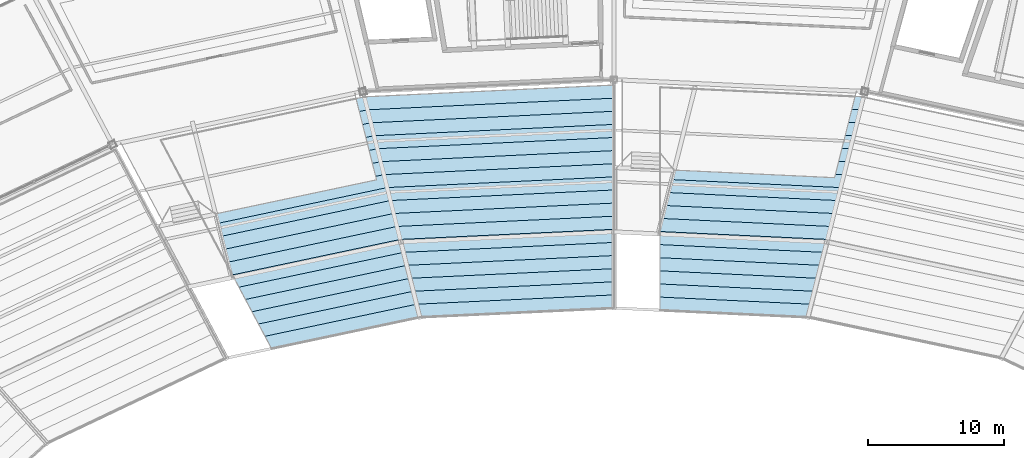
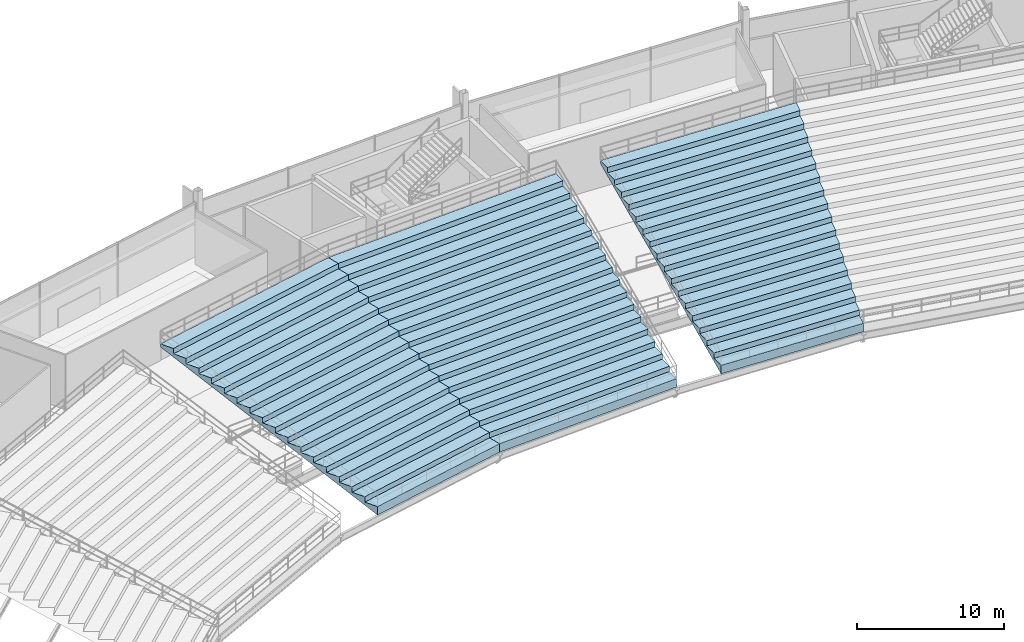
# One storey, part 138 of 186: 3 slabs.
"""IFC4 building model written with IfcOpenShell, lengths in metres."""

from ifc_helpers import new_model, si_unit, direction, frame, origin, place, context, subcontext, project, spatial, polygons, material, layer, layer_set, type_object, element, save


model = new_model("IFC4")

# Units and contexts
model_context = context("Model", 3, precision=1e-05, world=origin(), true_north=direction((0.0, 1.0)))
body_context = subcontext(model_context, "Body", "Model", "MODEL_VIEW")
ifc_project = project(units=[si_unit("LENGTHUNIT", "METRE"), si_unit("AREAUNIT", "SQUARE_METRE"), si_unit("VOLUMEUNIT", "CUBIC_METRE"), si_unit("PLANEANGLEUNIT", "RADIAN"), si_unit("MASSUNIT", "GRAM", prefix="KILO")], contexts=[model_context])

# Site, building, storey
site_placement = place(None, origin())
site = spatial("IfcSite", under=ifc_project, at=site_placement, CompositionType="ELEMENT")
building_placement = place(site_placement, origin())
building = spatial("IfcBuilding", under=site, at=building_placement, Name="Kazemori Nagisa Stadium", CompositionType="ELEMENT")
storey_placement = place(building_placement, frame((0.0, 0.0, 20.39990234375)))
storey = spatial("IfcBuildingStorey", under=building, at=storey_placement, Name="L04", CompositionType="ELEMENT", Elevation=20.39990234375)

# Slabs
ifc_material = material(Name="Concrete C36/45 (Fc36)", Category="concrete")
ifc_layer = layer(ifc_material, 7.739990234375, Name="Concrete C36/45 (Fc36)", Category="concrete")
ifc_layer_set = layer_set([ifc_layer], Name="Concrete C36/45 (Fc36)")
slab_type = type_object("IfcSlabType", Name="SeatingTier_ST-UP-17N", PredefinedType="USERDEFINED", material=ifc_layer_set)
slab_1_placement = place(storey_placement, frame((0.0, 0.0, -20.39990234375)))
element("IfcSlab", 1, at=slab_1_placement, inside=storey, type_object=slab_type, Name="Stand upper tier bay 07", ObjectType="SEATING TIER", PredefinedType="USERDEFINED", context=body_context, shape_type="Tessellation", body=[
    polygons([(126.396240234375, 159.029296875, 18.820068359375), (126.396240234375, 159.029296875, 19.52001953125), (126.396240234375, 159.992431640625, 19.52001953125), (126.396240234375, 159.992431640625, 19.9599609375), (126.396240234375, 160.955810546875, 19.9599609375), (126.396240234375, 160.955810546875, 20.39990234375), (126.396240234375, 161.9189453125, 20.39990234375), (126.396240234375, 161.9189453125, 20.83984375), (126.396240234375, 162.882080078125, 20.83984375), (126.396240234375, 162.882080078125, 21.27978515625), (126.396240234375, 163.84521484375, 21.27978515625), (126.396240234375, 163.84521484375, 21.7197265625), (126.396240234375, 164.80859375, 21.7197265625), (126.396240234375, 164.80859375, 22.15966796875), (126.396240234375, 165.771728515625, 22.15966796875), (126.396240234375, 165.771728515625, 22.599609375), (126.396240234375, 166.73486328125, 22.599609375), (126.396240234375, 166.73486328125, 23.03955078125), (126.396240234375, 167.6982421875, 23.03955078125), (126.396240234375, 167.6982421875, 23.4794921875), (126.396240234375, 168.661376953125, 23.4794921875), (126.396240234375, 168.661376953125, 23.91943359375), (126.396240234375, 169.62451171875, 23.91943359375), (126.396240234375, 169.62451171875, 24.359375), (126.396240234375, 170.587890625, 24.359375), (126.396240234375, 170.587890625, 24.79931640625), (126.396240234375, 171.551025390625, 24.79931640625), (126.396240234375, 171.551025390625, 25.2392578125), (126.396240234375, 172.51416015625, 25.2392578125), (126.396240234375, 172.51416015625, 25.67919921875), (126.396240234375, 173.477294921875, 25.67919921875), (126.396240234375, 173.477294921875, 26.119140625), (126.396240234375, 174.440673828125, 26.119140625), (126.396240234375, 174.440673828125, 26.55908203125), (126.396240234375, 175.40380859375, 26.55908203125), (126.396240234375, 175.40380859375, 26.299072265625), (126.396240234375, 174.440673828125, 25.859130859375), (126.396240234375, 173.477294921875, 25.419189453125), (126.396240234375, 172.51416015625, 24.979248046875), (126.396240234375, 171.551025390625, 24.539306640625), (126.396240234375, 170.587890625, 24.099365234375), (126.396240234375, 169.62451171875, 23.659423828125), (126.396240234375, 168.661376953125, 23.219482421875), (126.396240234375, 167.6982421875, 22.779541015625), (126.396240234375, 166.73486328125, 22.339599609375), (126.396240234375, 165.771728515625, 21.899658203125), (126.396240234375, 164.80859375, 21.459716796875), (126.396240234375, 163.84521484375, 21.019775390625), (126.396240234375, 162.882080078125, 20.579833984375), (126.396240234375, 161.9189453125, 20.139892578125), (126.396240234375, 160.955810546875, 19.699951171875), (126.396240234375, 159.992431640625, 19.260009765625), (137.24951171875, 158.516357421875, 18.820068359375), (137.24951171875, 158.516357421875, 19.52001953125), (137.489501953125, 159.46826171875, 19.52001953125), (137.489501953125, 159.46826171875, 19.9599609375), (137.7294921875, 160.420166015625, 19.9599609375), (137.7294921875, 160.420166015625, 20.39990234375), (137.969482421875, 161.371826171875, 20.39990234375), (137.969482421875, 161.371826171875, 20.83984375), (138.20947265625, 162.32373046875, 20.83984375), (138.20947265625, 162.32373046875, 21.27978515625), (138.449462890625, 163.275634765625, 21.27978515625), (138.449462890625, 163.275634765625, 21.7197265625), (138.689453125, 164.2275390625, 21.7197265625), (138.689453125, 164.2275390625, 22.15966796875), (138.929443359375, 165.17919921875, 22.15966796875), (138.929443359375, 165.17919921875, 22.599609375), (139.16943359375, 166.131103515625, 22.599609375), (139.16943359375, 166.131103515625, 23.03955078125), (139.409423828125, 167.0830078125, 23.03955078125), (139.409423828125, 167.0830078125, 23.4794921875), (139.6494140625, 168.034912109375, 23.4794921875), (139.6494140625, 168.034912109375, 23.91943359375), (139.889404296875, 168.986572265625, 23.91943359375), (139.889404296875, 168.986572265625, 24.359375), (140.12939453125, 169.9384765625, 24.359375), (140.12939453125, 169.9384765625, 24.79931640625), (140.369384765625, 170.890380859375, 24.79931640625), (140.369384765625, 170.890380859375, 25.2392578125), (140.609375, 171.84228515625, 25.2392578125), (140.609375, 171.84228515625, 25.67919921875), (140.849365234375, 172.7939453125, 25.67919921875), (140.849365234375, 172.7939453125, 26.119140625), (141.08935546875, 173.745849609375, 26.119140625), (141.08935546875, 173.745849609375, 26.55908203125), (141.329345703125, 174.69775390625, 26.55908203125), (141.329345703125, 174.69775390625, 26.299072265625), (141.08935546875, 173.745849609375, 25.859130859375), (140.849365234375, 172.7939453125, 25.419189453125), (140.609375, 171.84228515625, 24.979248046875), (140.369384765625, 170.890380859375, 24.539306640625), (140.12939453125, 169.9384765625, 24.099365234375), (139.889404296875, 168.986572265625, 23.659423828125), (139.6494140625, 168.034912109375, 23.219482421875), (139.409423828125, 167.0830078125, 22.779541015625), (139.16943359375, 166.131103515625, 22.339599609375), (138.929443359375, 165.17919921875, 21.899658203125), (138.689453125, 164.2275390625, 21.459716796875), (138.449462890625, 163.275634765625, 21.019775390625), (138.20947265625, 162.32373046875, 20.579833984375), (137.969482421875, 161.371826171875, 20.139892578125), (137.7294921875, 160.420166015625, 19.699951171875), (137.489501953125, 159.46826171875, 19.260009765625)], [[[1, 53, 54]], [[1, 54, 2]], [[2, 54, 55]], [[2, 55, 3]], [[3, 55, 56]], [[3, 56, 4]], [[4, 56, 57]], [[4, 57, 5]], [[5, 57, 58]], [[5, 58, 6]], [[6, 58, 59]], [[6, 59, 7]], [[7, 59, 60]], [[7, 60, 8]], [[8, 60, 61]], [[8, 61, 9]], [[9, 61, 62]], [[9, 62, 10]], [[10, 62, 63]], [[10, 63, 11]], [[11, 63, 64]], [[11, 64, 12]], [[12, 64, 65]], [[12, 65, 13]], [[13, 65, 66]], [[13, 66, 14]], [[14, 66, 67]], [[14, 67, 15]], [[15, 67, 68]], [[15, 68, 16]], [[16, 68, 69]], [[16, 69, 17]], [[17, 69, 70]], [[17, 70, 18]], [[18, 70, 71]], [[18, 71, 19]], [[19, 71, 72]], [[19, 72, 20]], [[20, 72, 73]], [[20, 73, 21]], [[21, 73, 74]], [[21, 74, 22]], [[22, 74, 75]], [[22, 75, 23]], [[23, 75, 76]], [[23, 76, 24]], [[24, 76, 77]], [[24, 77, 25]], [[25, 77, 78]], [[25, 78, 26]], [[26, 78, 79]], [[26, 79, 27]], [[27, 79, 80]], [[27, 80, 28]], [[28, 80, 81]], [[28, 81, 29]], [[29, 81, 82]], [[29, 82, 30]], [[30, 82, 83]], [[30, 83, 31]], [[31, 83, 84]], [[31, 84, 32]], [[32, 84, 85]], [[32, 85, 33]], [[33, 85, 86]], [[33, 86, 34]], [[34, 86, 87]], [[34, 87, 35]], [[35, 87, 88]], [[35, 88, 36]], [[36, 88, 37]], [[37, 88, 89]], [[37, 89, 38]], [[38, 89, 90]], [[38, 90, 39]], [[39, 90, 91]], [[39, 91, 40]], [[40, 91, 92]], [[40, 92, 41]], [[41, 92, 93]], [[41, 93, 42]], [[42, 93, 94]], [[42, 94, 43]], [[43, 94, 95]], [[43, 95, 44]], [[44, 95, 96]], [[44, 96, 45]], [[45, 96, 97]], [[45, 97, 46]], [[46, 97, 98]], [[46, 98, 47]], [[47, 98, 99]], [[47, 99, 48]], [[48, 99, 100]], [[48, 100, 49]], [[49, 100, 101]], [[49, 101, 50]], [[50, 101, 102]], [[50, 102, 51]], [[51, 102, 103]], [[51, 103, 52]], [[52, 103, 104]], [[52, 104, 1]], [[1, 104, 53]], [[1, 2, 3]], [[55, 54, 53]], [[1, 3, 52]], [[104, 55, 53]], [[52, 3, 51]], [[103, 55, 104]], [[51, 3, 5]], [[57, 55, 103]], [[3, 4, 5]], [[57, 56, 55]], [[51, 5, 50]], [[102, 57, 103]], [[50, 5, 7]], [[59, 57, 102]], [[5, 6, 7]], [[59, 58, 57]], [[50, 7, 49]], [[101, 59, 102]], [[49, 7, 9]], [[61, 59, 101]], [[7, 8, 9]], [[61, 60, 59]], [[49, 9, 48]], [[100, 61, 101]], [[48, 9, 11]], [[63, 61, 100]], [[9, 10, 11]], [[63, 62, 61]], [[48, 11, 47]], [[99, 63, 100]], [[47, 11, 13]], [[65, 63, 99]], [[11, 12, 13]], [[65, 64, 63]], [[47, 13, 46]], [[98, 65, 99]], [[46, 13, 15]], [[67, 65, 98]], [[13, 14, 15]], [[67, 66, 65]], [[46, 15, 45]], [[97, 67, 98]], [[45, 15, 17]], [[69, 67, 97]], [[15, 16, 17]], [[69, 68, 67]], [[45, 17, 44]], [[96, 69, 97]], [[44, 17, 19]], [[71, 69, 96]], [[17, 18, 19]], [[71, 70, 69]], [[44, 19, 43]], [[95, 71, 96]], [[43, 19, 21]], [[73, 71, 95]], [[19, 20, 21]], [[73, 72, 71]], [[43, 21, 42]], [[94, 73, 95]], [[42, 21, 23]], [[75, 73, 94]], [[21, 22, 23]], [[75, 74, 73]], [[42, 23, 41]], [[93, 75, 94]], [[41, 23, 25]], [[77, 75, 93]], [[23, 24, 25]], [[77, 76, 75]], [[41, 25, 40]], [[92, 77, 93]], [[40, 25, 27]], [[79, 77, 92]], [[25, 26, 27]], [[79, 78, 77]], [[40, 27, 39]], [[91, 79, 92]], [[39, 27, 29]], [[81, 79, 91]], [[27, 28, 29]], [[81, 80, 79]], [[39, 29, 38]], [[90, 81, 91]], [[38, 29, 31]], [[83, 81, 90]], [[29, 30, 31]], [[83, 82, 81]], [[38, 31, 37]], [[89, 83, 90]], [[37, 31, 33]], [[85, 83, 89]], [[31, 32, 33]], [[85, 84, 83]], [[37, 33, 36]], [[88, 85, 89]], [[36, 33, 35]], [[87, 85, 88]], [[33, 34, 35]], [[87, 86, 85]]], closed=True),
])
slab_2_placement = place(storey_placement, frame((0.0, 0.0, -20.39990234375)))
element("IfcSlab", 2, at=slab_2_placement, inside=storey, type_object=slab_type, Name="Stand upper tier bay 08", ObjectType="SEATING TIER", PredefinedType="USERDEFINED", context=body_context, shape_type="Tessellation", body=[
    polygons([(108.75048828125, 158.516357421875, 18.820068359375), (108.75048828125, 158.516357421875, 19.52001953125), (108.510498046875, 159.46826171875, 19.52001953125), (108.510498046875, 159.46826171875, 19.9599609375), (108.2705078125, 160.420166015625, 19.9599609375), (108.2705078125, 160.420166015625, 20.39990234375), (108.030517578125, 161.371826171875, 20.39990234375), (108.030517578125, 161.371826171875, 20.83984375), (107.79052734375, 162.32373046875, 20.83984375), (107.79052734375, 162.32373046875, 21.27978515625), (107.550537109375, 163.275634765625, 21.27978515625), (107.550537109375, 163.275634765625, 21.7197265625), (107.310546875, 164.2275390625, 21.7197265625), (107.310546875, 164.2275390625, 22.15966796875), (107.070556640625, 165.17919921875, 22.15966796875), (107.070556640625, 165.17919921875, 22.599609375), (106.83056640625, 166.131103515625, 22.599609375), (106.83056640625, 166.131103515625, 23.03955078125), (106.590576171875, 167.0830078125, 23.03955078125), (106.590576171875, 167.0830078125, 23.4794921875), (106.3505859375, 168.034912109375, 23.4794921875), (106.3505859375, 168.034912109375, 23.91943359375), (106.110595703125, 168.986572265625, 23.91943359375), (106.110595703125, 168.986572265625, 24.359375), (105.87060546875, 169.9384765625, 24.359375), (105.87060546875, 169.9384765625, 24.79931640625), (105.630615234375, 170.890380859375, 24.79931640625), (105.630615234375, 170.890380859375, 25.2392578125), (105.390625, 171.84228515625, 25.2392578125), (105.390625, 171.84228515625, 25.67919921875), (105.150634765625, 172.7939453125, 25.67919921875), (105.150634765625, 172.7939453125, 26.119140625), (104.91064453125, 173.745849609375, 26.119140625), (104.91064453125, 173.745849609375, 26.55908203125), (104.670654296875, 174.69775390625, 26.55908203125), (104.670654296875, 174.69775390625, 26.299072265625), (104.91064453125, 173.745849609375, 25.859130859375), (105.150634765625, 172.7939453125, 25.419189453125), (105.390625, 171.84228515625, 24.979248046875), (105.630615234375, 170.890380859375, 24.539306640625), (105.87060546875, 169.9384765625, 24.099365234375), (106.110595703125, 168.986572265625, 23.659423828125), (106.3505859375, 168.034912109375, 23.219482421875), (106.590576171875, 167.0830078125, 22.779541015625), (106.83056640625, 166.131103515625, 22.339599609375), (107.070556640625, 165.17919921875, 21.899658203125), (107.310546875, 164.2275390625, 21.459716796875), (107.550537109375, 163.275634765625, 21.019775390625), (107.79052734375, 162.32373046875, 20.579833984375), (108.030517578125, 161.371826171875, 20.139892578125), (108.2705078125, 160.420166015625, 19.699951171875), (108.510498046875, 159.46826171875, 19.260009765625), (123.0, 159.18994140625, 18.820068359375), (123.0, 159.18994140625, 19.52001953125), (123.0, 160.153076171875, 19.52001953125), (123.0, 160.153076171875, 19.9599609375), (123.0, 161.116455078125, 19.9599609375), (123.0, 161.116455078125, 20.39990234375), (123.0, 162.07958984375, 20.39990234375), (123.0, 162.07958984375, 20.83984375), (123.0, 163.042724609375, 20.83984375), (123.0, 163.042724609375, 21.27978515625), (123.0, 164.005859375, 21.27978515625), (123.0, 164.005859375, 21.7197265625), (123.0, 164.96923828125, 21.7197265625), (123.0, 164.96923828125, 22.15966796875), (123.0, 165.932373046875, 22.15966796875), (123.0, 165.932373046875, 22.599609375), (123.0, 166.8955078125, 22.599609375), (123.0, 166.8955078125, 23.03955078125), (123.0, 167.85888671875, 23.03955078125), (123.0, 167.85888671875, 23.4794921875), (123.0, 168.822021484375, 23.4794921875), (123.0, 168.822021484375, 23.91943359375), (123.0, 169.78515625, 23.91943359375), (123.0, 169.78515625, 24.359375), (123.0, 170.74853515625, 24.359375), (123.0, 170.74853515625, 24.79931640625), (123.0, 171.711669921875, 24.79931640625), (123.0, 171.711669921875, 25.2392578125), (123.0, 172.6748046875, 25.2392578125), (123.0, 172.6748046875, 25.67919921875), (123.0, 173.637939453125, 25.67919921875), (123.0, 173.637939453125, 26.119140625), (123.0, 174.601318359375, 26.119140625), (123.0, 174.601318359375, 26.55908203125), (123.0, 175.564453125, 26.55908203125), (123.0, 175.564453125, 26.299072265625), (123.0, 174.601318359375, 25.859130859375), (123.0, 173.637939453125, 25.419189453125), (123.0, 172.6748046875, 24.979248046875), (123.0, 171.711669921875, 24.539306640625), (123.0, 170.74853515625, 24.099365234375), (123.0, 169.78515625, 23.659423828125), (123.0, 168.822021484375, 23.219482421875), (123.0, 167.85888671875, 22.779541015625), (123.0, 166.8955078125, 22.339599609375), (123.0, 165.932373046875, 21.899658203125), (123.0, 164.96923828125, 21.459716796875), (123.0, 164.005859375, 21.019775390625), (123.0, 163.042724609375, 20.579833984375), (123.0, 162.07958984375, 20.139892578125), (123.0, 161.116455078125, 19.699951171875), (123.0, 160.153076171875, 19.260009765625)], [[[1, 53, 54]], [[1, 54, 2]], [[2, 54, 55]], [[2, 55, 3]], [[3, 55, 56]], [[3, 56, 4]], [[4, 56, 57]], [[4, 57, 5]], [[5, 57, 58]], [[5, 58, 6]], [[6, 58, 59]], [[6, 59, 7]], [[7, 59, 60]], [[7, 60, 8]], [[8, 60, 61]], [[8, 61, 9]], [[9, 61, 62]], [[9, 62, 10]], [[10, 62, 63]], [[10, 63, 11]], [[11, 63, 64]], [[11, 64, 12]], [[12, 64, 65]], [[12, 65, 13]], [[13, 65, 66]], [[13, 66, 14]], [[14, 66, 67]], [[14, 67, 15]], [[15, 67, 68]], [[15, 68, 16]], [[16, 68, 69]], [[16, 69, 17]], [[17, 69, 70]], [[17, 70, 18]], [[18, 70, 71]], [[18, 71, 19]], [[19, 71, 72]], [[19, 72, 20]], [[20, 72, 73]], [[20, 73, 21]], [[21, 73, 74]], [[21, 74, 22]], [[22, 74, 75]], [[22, 75, 23]], [[23, 75, 76]], [[23, 76, 24]], [[24, 76, 77]], [[24, 77, 25]], [[25, 77, 78]], [[25, 78, 26]], [[26, 78, 79]], [[26, 79, 27]], [[27, 79, 80]], [[27, 80, 28]], [[28, 80, 81]], [[28, 81, 29]], [[29, 81, 82]], [[29, 82, 30]], [[30, 82, 83]], [[30, 83, 31]], [[31, 83, 84]], [[31, 84, 32]], [[32, 84, 85]], [[32, 85, 33]], [[33, 85, 86]], [[33, 86, 34]], [[34, 86, 87]], [[34, 87, 35]], [[35, 87, 88]], [[35, 88, 36]], [[36, 88, 37]], [[37, 88, 89]], [[37, 89, 38]], [[38, 89, 90]], [[38, 90, 39]], [[39, 90, 91]], [[39, 91, 40]], [[40, 91, 92]], [[40, 92, 41]], [[41, 92, 93]], [[41, 93, 42]], [[42, 93, 94]], [[42, 94, 43]], [[43, 94, 95]], [[43, 95, 44]], [[44, 95, 96]], [[44, 96, 45]], [[45, 96, 97]], [[45, 97, 46]], [[46, 97, 98]], [[46, 98, 47]], [[47, 98, 99]], [[47, 99, 48]], [[48, 99, 100]], [[48, 100, 49]], [[49, 100, 101]], [[49, 101, 50]], [[50, 101, 102]], [[50, 102, 51]], [[51, 102, 103]], [[51, 103, 52]], [[52, 103, 104]], [[52, 104, 1]], [[1, 104, 53]], [[1, 2, 3]], [[55, 54, 53]], [[1, 3, 52]], [[104, 55, 53]], [[52, 3, 51]], [[103, 55, 104]], [[51, 3, 5]], [[57, 55, 103]], [[3, 4, 5]], [[57, 56, 55]], [[51, 5, 50]], [[102, 57, 103]], [[50, 5, 7]], [[59, 57, 102]], [[5, 6, 7]], [[59, 58, 57]], [[50, 7, 49]], [[101, 59, 102]], [[49, 7, 9]], [[61, 59, 101]], [[7, 8, 9]], [[61, 60, 59]], [[49, 9, 48]], [[100, 61, 101]], [[48, 9, 11]], [[63, 61, 100]], [[9, 10, 11]], [[63, 62, 61]], [[48, 11, 47]], [[99, 63, 100]], [[47, 11, 13]], [[65, 63, 99]], [[11, 12, 13]], [[65, 64, 63]], [[47, 13, 46]], [[98, 65, 99]], [[46, 13, 15]], [[67, 65, 98]], [[13, 14, 15]], [[67, 66, 65]], [[46, 15, 45]], [[97, 67, 98]], [[45, 15, 17]], [[69, 67, 97]], [[15, 16, 17]], [[69, 68, 67]], [[45, 17, 44]], [[96, 69, 97]], [[44, 17, 19]], [[71, 69, 96]], [[17, 18, 19]], [[71, 70, 69]], [[44, 19, 43]], [[95, 71, 96]], [[43, 19, 21]], [[73, 71, 95]], [[19, 20, 21]], [[73, 72, 71]], [[43, 21, 42]], [[94, 73, 95]], [[42, 21, 23]], [[75, 73, 94]], [[21, 22, 23]], [[75, 74, 73]], [[42, 23, 41]], [[93, 75, 94]], [[41, 23, 25]], [[77, 75, 93]], [[23, 24, 25]], [[77, 76, 75]], [[41, 25, 40]], [[92, 77, 93]], [[40, 25, 27]], [[79, 77, 92]], [[25, 26, 27]], [[79, 78, 77]], [[40, 27, 39]], [[91, 79, 92]], [[39, 27, 29]], [[81, 79, 91]], [[27, 28, 29]], [[81, 80, 79]], [[39, 29, 38]], [[90, 81, 91]], [[38, 29, 31]], [[83, 81, 90]], [[29, 30, 31]], [[83, 82, 81]], [[38, 31, 37]], [[89, 83, 90]], [[37, 31, 33]], [[85, 83, 89]], [[31, 32, 33]], [[85, 84, 83]], [[37, 33, 36]], [[88, 85, 89]], [[36, 33, 35]], [[87, 85, 88]], [[33, 34, 35]], [[87, 86, 85]]], closed=True),
])
slab_3_placement = place(storey_placement, frame((0.0, 0.0, -20.39990234375)))
element("IfcSlab", 3, at=slab_3_placement, inside=storey, type_object=slab_type, Name="Stand upper tier bay 09", ObjectType="SEATING TIER", PredefinedType="USERDEFINED", context=body_context, shape_type="Tessellation", body=[
    polygons([(97.861328125, 156.21240234375, 18.820068359375), (97.861328125, 156.21240234375, 19.52001953125), (97.3818359375, 157.113525390625, 19.52001953125), (97.3818359375, 157.113525390625, 19.9599609375), (96.902587890625, 158.014892578125, 19.9599609375), (96.902587890625, 158.014892578125, 20.39990234375), (96.423095703125, 158.916015625, 20.39990234375), (96.423095703125, 158.916015625, 20.83984375), (95.943603515625, 159.817138671875, 20.83984375), (95.943603515625, 159.817138671875, 21.27978515625), (95.464111328125, 160.718505859375, 21.27978515625), (95.464111328125, 160.718505859375, 21.7197265625), (94.98486328125, 161.61962890625, 21.7197265625), (94.98486328125, 161.61962890625, 22.15966796875), (94.50537109375, 162.520751953125, 22.15966796875), (94.50537109375, 162.520751953125, 22.599609375), (94.02587890625, 163.422119140625, 22.599609375), (94.02587890625, 163.422119140625, 23.03955078125), (93.546630859375, 164.3232421875, 23.03955078125), (93.546630859375, 164.3232421875, 23.4794921875), (93.067138671875, 165.224609375, 23.4794921875), (93.067138671875, 165.224609375, 23.91943359375), (92.587646484375, 166.125732421875, 23.91943359375), (92.587646484375, 166.125732421875, 24.359375), (92.1083984375, 167.02685546875, 24.359375), (92.1083984375, 167.02685546875, 24.79931640625), (91.62890625, 167.92822265625, 24.79931640625), (91.62890625, 167.92822265625, 25.2392578125), (91.1494140625, 168.829345703125, 25.2392578125), (91.1494140625, 168.829345703125, 25.67919921875), (90.669921875, 169.73046875, 25.67919921875), (90.669921875, 169.73046875, 26.119140625), (90.190673828125, 170.6318359375, 26.119140625), (90.190673828125, 170.6318359375, 26.55908203125), (89.711181640625, 171.532958984375, 26.55908203125), (89.711181640625, 171.532958984375, 26.299072265625), (90.190673828125, 170.6318359375, 25.859130859375), (90.669921875, 169.73046875, 25.419189453125), (91.1494140625, 168.829345703125, 24.979248046875), (91.62890625, 167.92822265625, 24.539306640625), (92.1083984375, 167.02685546875, 24.099365234375), (92.587646484375, 166.125732421875, 23.659423828125), (93.067138671875, 165.224609375, 23.219482421875), (93.546630859375, 164.3232421875, 22.779541015625), (94.02587890625, 163.422119140625, 22.339599609375), (94.50537109375, 162.520751953125, 21.899658203125), (94.98486328125, 161.61962890625, 21.459716796875), (95.464111328125, 160.718505859375, 21.019775390625), (95.943603515625, 159.817138671875, 20.579833984375), (96.423095703125, 158.916015625, 20.139892578125), (96.902587890625, 158.014892578125, 19.699951171875), (97.3818359375, 157.113525390625, 19.260009765625), (108.75048828125, 158.516357421875, 18.820068359375), (108.75048828125, 158.516357421875, 19.52001953125), (108.510498046875, 159.46826171875, 19.52001953125), (108.510498046875, 159.46826171875, 19.9599609375), (108.2705078125, 160.420166015625, 19.9599609375), (108.2705078125, 160.420166015625, 20.39990234375), (108.030517578125, 161.371826171875, 20.39990234375), (108.030517578125, 161.371826171875, 20.83984375), (107.79052734375, 162.32373046875, 20.83984375), (107.79052734375, 162.32373046875, 21.27978515625), (107.550537109375, 163.275634765625, 21.27978515625), (107.550537109375, 163.275634765625, 21.7197265625), (107.310546875, 164.2275390625, 21.7197265625), (107.310546875, 164.2275390625, 22.15966796875), (107.070556640625, 165.17919921875, 22.15966796875), (107.070556640625, 165.17919921875, 22.599609375), (106.83056640625, 166.131103515625, 22.599609375), (106.83056640625, 166.131103515625, 23.03955078125), (106.590576171875, 167.0830078125, 23.03955078125), (106.590576171875, 167.0830078125, 23.4794921875), (106.3505859375, 168.034912109375, 23.4794921875), (106.3505859375, 168.034912109375, 23.91943359375), (106.110595703125, 168.986572265625, 23.91943359375), (106.110595703125, 168.986572265625, 24.359375), (105.87060546875, 169.9384765625, 24.359375), (105.87060546875, 169.9384765625, 24.79931640625), (105.630615234375, 170.890380859375, 24.79931640625), (105.630615234375, 170.890380859375, 25.2392578125), (105.390625, 171.84228515625, 25.2392578125), (105.390625, 171.84228515625, 25.67919921875), (105.150634765625, 172.7939453125, 25.67919921875), (105.150634765625, 172.7939453125, 26.119140625), (104.91064453125, 173.745849609375, 26.119140625), (104.91064453125, 173.745849609375, 26.55908203125), (104.670654296875, 174.69775390625, 26.55908203125), (104.670654296875, 174.69775390625, 26.299072265625), (104.91064453125, 173.745849609375, 25.859130859375), (105.150634765625, 172.7939453125, 25.419189453125), (105.390625, 171.84228515625, 24.979248046875), (105.630615234375, 170.890380859375, 24.539306640625), (105.87060546875, 169.9384765625, 24.099365234375), (106.110595703125, 168.986572265625, 23.659423828125), (106.3505859375, 168.034912109375, 23.219482421875), (106.590576171875, 167.0830078125, 22.779541015625), (106.83056640625, 166.131103515625, 22.339599609375), (107.070556640625, 165.17919921875, 21.899658203125), (107.310546875, 164.2275390625, 21.459716796875), (107.550537109375, 163.275634765625, 21.019775390625), (107.79052734375, 162.32373046875, 20.579833984375), (108.030517578125, 161.371826171875, 20.139892578125), (108.2705078125, 160.420166015625, 19.699951171875), (108.510498046875, 159.46826171875, 19.260009765625)], [[[1, 53, 54]], [[1, 54, 2]], [[2, 54, 55]], [[2, 55, 3]], [[3, 55, 56]], [[3, 56, 4]], [[4, 56, 57]], [[4, 57, 5]], [[5, 57, 58]], [[5, 58, 6]], [[6, 58, 59]], [[6, 59, 7]], [[7, 59, 60]], [[7, 60, 8]], [[8, 60, 61]], [[8, 61, 9]], [[9, 61, 62]], [[9, 62, 10]], [[10, 62, 63]], [[10, 63, 11]], [[11, 63, 64]], [[11, 64, 12]], [[12, 64, 65]], [[12, 65, 13]], [[13, 65, 66]], [[13, 66, 14]], [[14, 66, 67]], [[14, 67, 15]], [[15, 67, 68]], [[15, 68, 16]], [[16, 68, 69]], [[16, 69, 17]], [[17, 69, 70]], [[17, 70, 18]], [[18, 70, 71]], [[18, 71, 19]], [[19, 71, 72]], [[19, 72, 20]], [[20, 72, 73]], [[20, 73, 21]], [[21, 73, 74]], [[21, 74, 22]], [[22, 74, 75]], [[22, 75, 23]], [[23, 75, 76]], [[23, 76, 24]], [[24, 76, 77]], [[24, 77, 25]], [[25, 77, 78]], [[25, 78, 26]], [[26, 78, 79]], [[26, 79, 27]], [[27, 79, 80]], [[27, 80, 28]], [[28, 80, 81]], [[28, 81, 29]], [[29, 81, 82]], [[29, 82, 30]], [[30, 82, 83]], [[30, 83, 31]], [[31, 83, 84]], [[31, 84, 32]], [[32, 84, 85]], [[32, 85, 33]], [[33, 85, 86]], [[33, 86, 34]], [[34, 86, 87]], [[34, 87, 35]], [[35, 87, 88]], [[35, 88, 36]], [[36, 88, 37]], [[37, 88, 89]], [[37, 89, 38]], [[38, 89, 90]], [[38, 90, 39]], [[39, 90, 91]], [[39, 91, 40]], [[40, 91, 92]], [[40, 92, 41]], [[41, 92, 93]], [[41, 93, 42]], [[42, 93, 94]], [[42, 94, 43]], [[43, 94, 95]], [[43, 95, 44]], [[44, 95, 96]], [[44, 96, 45]], [[45, 96, 97]], [[45, 97, 46]], [[46, 97, 98]], [[46, 98, 47]], [[47, 98, 99]], [[47, 99, 48]], [[48, 99, 100]], [[48, 100, 49]], [[49, 100, 101]], [[49, 101, 50]], [[50, 101, 102]], [[50, 102, 51]], [[51, 102, 103]], [[51, 103, 52]], [[52, 103, 104]], [[52, 104, 1]], [[1, 104, 53]], [[1, 2, 3]], [[55, 54, 53]], [[1, 3, 52]], [[104, 55, 53]], [[52, 3, 51]], [[103, 55, 104]], [[51, 3, 5]], [[57, 55, 103]], [[3, 4, 5]], [[57, 56, 55]], [[51, 5, 50]], [[102, 57, 103]], [[50, 5, 7]], [[59, 57, 102]], [[5, 6, 7]], [[59, 58, 57]], [[50, 7, 49]], [[101, 59, 102]], [[49, 7, 9]], [[61, 59, 101]], [[7, 8, 9]], [[61, 60, 59]], [[49, 9, 48]], [[100, 61, 101]], [[48, 9, 11]], [[63, 61, 100]], [[9, 10, 11]], [[63, 62, 61]], [[48, 11, 47]], [[99, 63, 100]], [[47, 11, 13]], [[65, 63, 99]], [[11, 12, 13]], [[65, 64, 63]], [[47, 13, 46]], [[98, 65, 99]], [[46, 13, 15]], [[67, 65, 98]], [[13, 14, 15]], [[67, 66, 65]], [[46, 15, 45]], [[97, 67, 98]], [[45, 15, 17]], [[69, 67, 97]], [[15, 16, 17]], [[69, 68, 67]], [[45, 17, 44]], [[96, 69, 97]], [[44, 17, 19]], [[71, 69, 96]], [[17, 18, 19]], [[71, 70, 69]], [[44, 19, 43]], [[95, 71, 96]], [[43, 19, 21]], [[73, 71, 95]], [[19, 20, 21]], [[73, 72, 71]], [[43, 21, 42]], [[94, 73, 95]], [[42, 21, 23]], [[75, 73, 94]], [[21, 22, 23]], [[75, 74, 73]], [[42, 23, 41]], [[93, 75, 94]], [[41, 23, 25]], [[77, 75, 93]], [[23, 24, 25]], [[77, 76, 75]], [[41, 25, 40]], [[92, 77, 93]], [[40, 25, 27]], [[79, 77, 92]], [[25, 26, 27]], [[79, 78, 77]], [[40, 27, 39]], [[91, 79, 92]], [[39, 27, 29]], [[81, 79, 91]], [[27, 28, 29]], [[81, 80, 79]], [[39, 29, 38]], [[90, 81, 91]], [[38, 29, 31]], [[83, 81, 90]], [[29, 30, 31]], [[83, 82, 81]], [[38, 31, 37]], [[89, 83, 90]], [[37, 31, 33]], [[85, 83, 89]], [[31, 32, 33]], [[85, 84, 83]], [[37, 33, 36]], [[88, 85, 89]], [[36, 33, 35]], [[87, 85, 88]], [[33, 34, 35]], [[87, 86, 85]]], closed=True),
])

save(model, "model.ifc")
